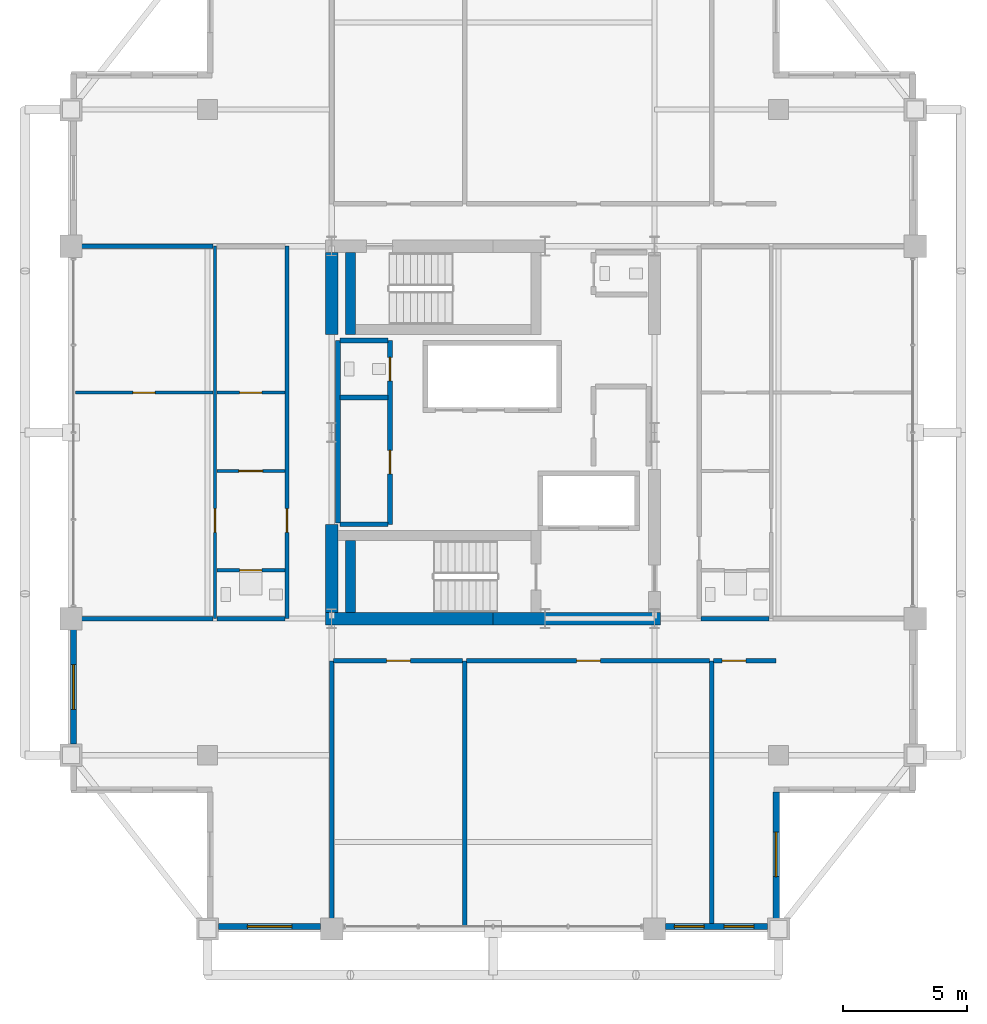
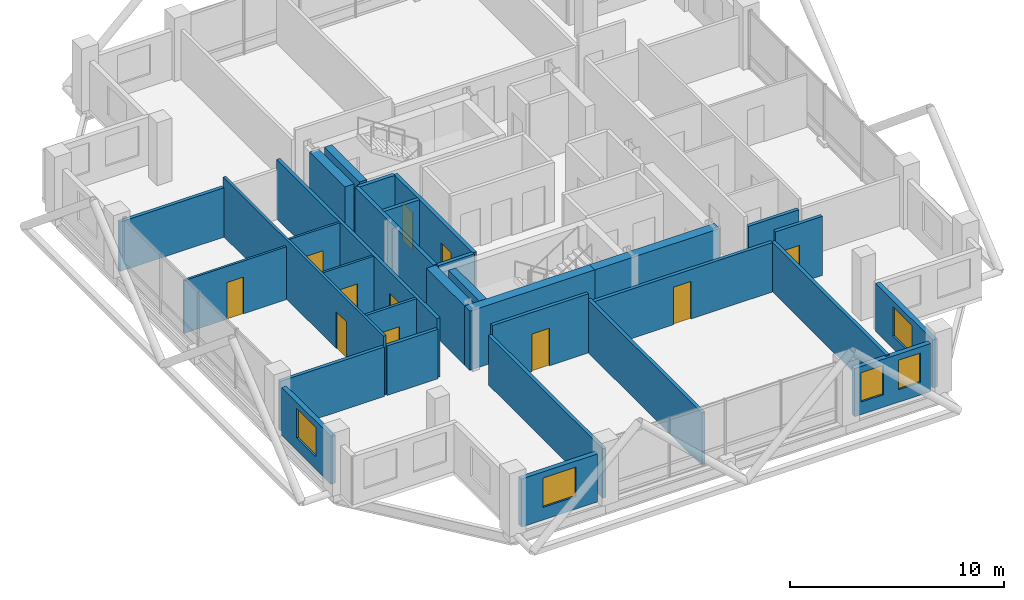
# One storey, part 19 of 24: 31 walls, 11 doors, 5 windows, 16 openings.
"""IFC4 building model written with IfcOpenShell, lengths in metres."""

from ifc_helpers import new_model, si_unit, direction, frame, frame_2d, origin, place, context, subcontext, project, spatial, rectangle, extrude, material, layer, layer_set, type_object, element, fill, save


model = new_model("IFC4")

# Units and contexts
model_context = context("Model", 3, precision=1e-05, world=origin(), true_north=direction((0.0, 1.0)))
body_context = subcontext(model_context, "Body", "Model", "MODEL_VIEW")
ifc_project = project(units=[si_unit("LENGTHUNIT", "METRE"), si_unit("AREAUNIT", "SQUARE_METRE"), si_unit("VOLUMEUNIT", "CUBIC_METRE"), si_unit("PLANEANGLEUNIT", "RADIAN"), si_unit("MASSUNIT", "GRAM", prefix="KILO")], contexts=[model_context])

# Site, building, storey
site_placement = place(None, origin())
site = spatial("IfcSite", under=ifc_project, at=site_placement, CompositionType="ELEMENT")
building_placement = place(site_placement, origin())
building = spatial("IfcBuilding", under=site, at=building_placement, Name="Barlavira Tower and Art Museum", CompositionType="ELEMENT")
storey_placement = place(building_placement, frame((0.0, 0.0, 294.300048828125)))
storey = spatial("IfcBuildingStorey", under=building, at=storey_placement, Name="L77", CompositionType="ELEMENT", Elevation=294.300048828125)

# Wall, opening, door
ifc_material_1 = material(Name="Gypsum acoustic stud partition", Category="gypsum")
ifc_layer_1 = layer(ifc_material_1, 0.1201171875, Name="Gypsum acoustic stud partition")
ifc_layer_set_1 = layer_set([ifc_layer_1], Name="Gypsum acoustic stud partition")
wall_type_1 = type_object("IfcWallType", Name="Apartment Internal Acoustic Partition 120", PredefinedType="PARTITIONING", material=ifc_layer_set_1)
wall_1_placement = place(storey_placement, frame((-11.1201171875, -1.550048828125, 0.0), z_axis=(0.0, 0.0, 1.0), x_axis=(1.0, 0.0, 0.0)))
wall_1 = element("IfcWall", 1, at=wall_1_placement, inside=storey, type_object=wall_type_1, Name="L77 Partition Wall 26", PredefinedType="PARTITIONING", context=body_context, shape_type="SweptSolid", body=[
    extrude(rectangle(XDim=2.740234375, YDim=0.1201171875, at=frame_2d((1.3701171875, 0.0))), origin(), (0.0, 0.0, 1.0), 3.3798828125),
])
opening_1_placement = place(wall_1_placement, frame((0.885009765625, 0.0, 0.0)))
opening_1 = element("IfcOpeningElement", 2, at=opening_1_placement, cuts=wall_1, Name="Opening D-02", PredefinedType="OPENING", context=body_context, shape_type="SweptSolid", body=[
    extrude(rectangle(XDim=0.949951171875, YDim=2.10009765625, at=frame_2d((0.47509765625, 1.050048828125))), frame((0.0, 0.070068359375, 0.0), z_axis=(0.0, -1.0, 0.0), x_axis=(1.0, 0.0, 0.0)), (0.0, 0.0, 1.0), 0.14013671875),
])
ifc_material_2 = material(Name="Engineered coastal hardwood", Category="wood")
door_type_1 = type_object("IfcDoorType", Name="Living and Salon Glazed-Leaf Door 950x2100", OperationType="NOTDEFINED", PredefinedType="DOOR", material=ifc_material_2)
door_1_placement = place(opening_1_placement, origin())
door_1 = element("IfcDoor", 3, at=door_1_placement, inside=storey, type_object=door_type_1, Name="Apartment W1 Kitchen Door", OperationType="SINGLE_SWING_RIGHT", OverallHeight=2.10009765625, OverallWidth=0.949951171875, PredefinedType="DOOR", context=body_context, shape_type="SweptSolid", body=[
    extrude(rectangle(XDim=0.949951171875, YDim=2.10009765625, at=frame_2d((0.47509765625, 1.050048828125))), frame((0.0, 0.02490234375, 0.0), z_axis=(0.0, -1.0, 0.0), x_axis=(1.0, 0.0, 0.0)), (0.0, 0.0, 1.0), 0.050048828125),
])
fill(opening_1, door_1)

wall_2_placement = place(storey_placement, frame((-16.820068359375, 1.60009765625, 0.0), z_axis=(0.0, 0.0, 1.0), x_axis=(1.0, 0.0, 0.0)))
wall_2 = element("IfcWall", 4, at=wall_2_placement, inside=storey, type_object=wall_type_1, Name="L77 Partition Wall 29", PredefinedType="PARTITIONING", context=body_context, shape_type="SweptSolid", body=[
    extrude(rectangle(XDim=5.5400390625, YDim=0.1201171875, at=frame_2d((2.77001953125, 0.0))), origin(), (0.0, 0.0, 1.0), 3.01806640625),
])
opening_2_placement = place(wall_2_placement, frame((2.31005859375, 0.0, 0.0)))
opening_2 = element("IfcOpeningElement", 5, at=opening_2_placement, cuts=wall_2, Name="Opening D-01", PredefinedType="OPENING", context=body_context, shape_type="SweptSolid", body=[
    extrude(rectangle(XDim=0.89990234375, YDim=2.10009765625, at=frame_2d((0.449951171875, 1.050048828125))), frame((0.0, 0.070068359375, 0.0), z_axis=(0.0, -1.0, 0.0), x_axis=(1.0, 0.0, 0.0)), (0.0, 0.0, 1.0), 0.14013671875),
])
door_type_2 = type_object("IfcDoorType", Name="Internal Bedroom Timber Flush Door 900x2100", OperationType="NOTDEFINED", PredefinedType="DOOR", material=ifc_material_2)
door_2_placement = place(opening_2_placement, origin())
door_2 = element("IfcDoor", 6, at=door_2_placement, inside=storey, type_object=door_type_2, Name="Apartment W1 Bedroom 1 Door", OperationType="SINGLE_SWING_LEFT", OverallHeight=2.10009765625, OverallWidth=0.89990234375, PredefinedType="DOOR", context=body_context, shape_type="SweptSolid", body=[
    extrude(rectangle(XDim=0.89990234375, YDim=2.10009765625, at=frame_2d((0.449951171875, 1.050048828125))), frame((0.0, 0.02490234375, 0.0), z_axis=(0.0, -1.0, 0.0), x_axis=(1.0, 0.0, 0.0)), (0.0, 0.0, 1.0), 0.050048828125),
])
fill(opening_2, door_2)

wall_3_placement = place(storey_placement, frame((-11.1201171875, 1.60009765625, 0.0), z_axis=(0.0, 0.0, 1.0), x_axis=(1.0, 0.0, 0.0)))
wall_3 = element("IfcWall", 7, at=wall_3_placement, inside=storey, type_object=wall_type_1, Name="L77 Partition Wall 30", PredefinedType="PARTITIONING", context=body_context, shape_type="SweptSolid", body=[
    extrude(rectangle(XDim=2.740234375, YDim=0.1201171875, at=frame_2d((1.3701171875, 0.0))), origin(), (0.0, 0.0, 1.0), 3.3798828125),
])
opening_3_placement = place(wall_3_placement, frame((0.909912109375, 0.0, 0.0)))
opening_3 = element("IfcOpeningElement", 8, at=opening_3_placement, cuts=wall_3, Name="Opening D-01", PredefinedType="OPENING", context=body_context, shape_type="SweptSolid", body=[
    extrude(rectangle(XDim=0.89990234375, YDim=2.10009765625, at=frame_2d((0.449951171875, 1.050048828125))), frame((0.0, 0.070068359375, 0.0), z_axis=(0.0, -1.0, 0.0), x_axis=(1.0, 0.0, 0.0)), (0.0, 0.0, 1.0), 0.14013671875),
])
door_3_placement = place(opening_3_placement, origin())
door_3 = element("IfcDoor", 9, at=door_3_placement, inside=storey, type_object=door_type_2, Name="Apartment W1 Walk-In Dressing Room Door", OperationType="SINGLE_SWING_LEFT", OverallHeight=2.10009765625, OverallWidth=0.89990234375, PredefinedType="DOOR", context=body_context, shape_type="SweptSolid", body=[
    extrude(rectangle(XDim=0.89990234375, YDim=2.10009765625, at=frame_2d((0.449951171875, 1.050048828125))), frame((0.0, 0.02490234375, 0.0), z_axis=(0.0, -1.0, 0.0), x_axis=(1.0, 0.0, 0.0)), (0.0, 0.0, 1.0), 0.050048828125),
])
fill(opening_3, door_3)

# Walls
ifc_material_3 = material(Name="Concrete C60", Category="concrete")
ifc_layer_2 = layer(ifc_material_3, 0.5, Name="Concrete C60")
ifc_layer_set_2 = layer_set([ifc_layer_2], Name="Concrete C60")
wall_type_2 = type_object("IfcWallType", Name="Core Structural Shear Wall 500 Concrete C60", PredefinedType="SHEAR", material=ifc_layer_set_2)
for number, where, z_axis, x_axis, name in (
    (10, (-6.75, -7.5, 0.0), (0.0, 0.0, 1.0), (1.0, 0.0, 0.0), "L77 Core Shear Wall CS-SW"),
    (11, (0.0, -7.5, 0.0), (0.0, 0.0, 1.0), (1.0, 0.0, 0.0), "L77 Core Shear Wall CS-SE"),
):
    element("IfcWall", number, at=place(storey_placement, frame(where, z_axis=z_axis, x_axis=x_axis)), inside=storey, type_object=wall_type_2, Name=name, PredefinedType="SHEAR", context=body_context, shape_type="SweptSolid", body=[
        extrude(rectangle(XDim=6.75, YDim=0.5, at=frame_2d((3.375, 0.0))), origin(), (0.0, 0.0, 1.0), 3.3798828125),
    ])
wall_4_placement = place(storey_placement, frame((-6.5, -7.25, 0.0), z_axis=(0.0, 0.0, 1.0), x_axis=(0.0, 1.0, 0.0)))
element("IfcWall", 12, at=wall_4_placement, inside=storey, type_object=wall_type_2, Name="L77 Core Shear Wall CS-W1", PredefinedType="SHEAR", context=body_context, shape_type="SweptSolid", body=[
    extrude(rectangle(XDim=3.550048828125, YDim=0.5, at=frame_2d((1.77490234375, 0.0))), origin(), (0.0, 0.0, 1.0), 3.3798828125),
])
wall_5_placement = place(storey_placement, frame((-6.5, 3.949951171875, 0.0), z_axis=(0.0, 0.0, 1.0), x_axis=(0.0, 1.0, 0.0)))
element("IfcWall", 13, at=wall_5_placement, inside=storey, type_object=wall_type_2, Name="L77 Core Shear Wall CS-W2", PredefinedType="SHEAR", context=body_context, shape_type="SweptSolid", body=[
    extrude(rectangle(XDim=3.300048828125, YDim=0.5, at=frame_2d((1.64990234375, 0.0))), origin(), (0.0, 0.0, 1.0), 3.3798828125),
])
ifc_material_4 = material(Name="Autoclaved aerated concrete masonry", Category="masonry")
ifc_layer_3 = layer(ifc_material_4, 0.199951171875, Name="Autoclaved aerated concrete masonry")
ifc_layer_set_3 = layer_set([ifc_layer_3], Name="Autoclaved aerated concrete masonry")
wall_type_3 = type_object("IfcWallType", Name="Fire Compartment and Shaft Wall 200", PredefinedType="SOLIDWALL", material=ifc_layer_set_3)
wall_6_placement = place(storey_placement, frame((-6.25, -3.639892578125, 0.0), z_axis=(0.0, 0.0, 1.0), x_axis=(0.0, 1.0, 0.0)))
element("IfcWall", 14, at=wall_6_placement, inside=storey, type_object=wall_type_3, Name="L77 Partition Wall 5", PredefinedType="SOLIDWALL", context=body_context, shape_type="SweptSolid", body=[
    extrude(rectangle(XDim=7.33984375, YDim=0.199951171875, at=frame_2d((3.669921875, 0.0))), origin(), (0.0, 0.0, 1.0), 3.3798828125),
])

# Wall, openings, doors
wall_7_placement = place(storey_placement, frame((-4.14990234375, -3.699951171875, 0.0), z_axis=(0.0, 0.0, 1.0), x_axis=(0.0, 1.0, 0.0)))
wall_7 = element("IfcWall", 15, at=wall_7_placement, inside=storey, type_object=wall_type_3, Name="L77 Partition Wall 6", PredefinedType="SOLIDWALL", context=body_context, shape_type="SweptSolid", body=[
    extrude(rectangle(XDim=7.39990234375, YDim=0.199951171875, at=frame_2d((3.699951171875, 0.0))), origin(), (0.0, 0.0, 1.0), 3.3798828125),
])
opening_4_placement = place(wall_7_placement, frame((2.02490234375, 0.0, 0.0)))
opening_4 = element("IfcOpeningElement", 16, at=opening_4_placement, cuts=wall_7, Name="Opening FD-60", PredefinedType="OPENING", context=body_context, shape_type="SweptSolid", body=[
    extrude(rectangle(XDim=0.949951171875, YDim=2.14990234375, at=frame_2d((0.47509765625, 1.074951171875))), frame((0.0, 0.10986328125, 0.0), z_axis=(0.0, -1.0, 0.0), x_axis=(1.0, 0.0, 0.0)), (0.0, 0.0, 1.0), 0.219970703125),
])
opening_5_placement = place(wall_7_placement, frame((5.77490234375, 0.0, 0.0)))
opening_5 = element("IfcOpeningElement", 17, at=opening_5_placement, cuts=wall_7, Name="Opening FD-60", PredefinedType="OPENING", context=body_context, shape_type="SweptSolid", body=[
    extrude(rectangle(XDim=0.949951171875, YDim=2.14990234375, at=frame_2d((0.47509765625, 1.074951171875))), frame((0.0, 0.10986328125, 0.0), z_axis=(0.0, -1.0, 0.0), x_axis=(1.0, 0.0, 0.0)), (0.0, 0.0, 1.0), 0.219970703125),
])
ifc_material_5 = material(Name="Brushed stainless steel", Category="steel")
door_type_3 = type_object("IfcDoorType", Name="Apartment Entrance and Riser Fire Door 950x2150 FD60S", OperationType="NOTDEFINED", PredefinedType="DOOR", material=ifc_material_5)
door_4_placement = place(opening_4_placement, origin())
door_4 = element("IfcDoor", 18, at=door_4_placement, inside=storey, type_object=door_type_3, Name="Reclaimed Core Resident Parcel Room Door", OperationType="SINGLE_SWING_RIGHT", OverallHeight=2.14990234375, OverallWidth=0.949951171875, PredefinedType="DOOR", context=body_context, shape_type="SweptSolid", body=[
    extrude(rectangle(XDim=0.949951171875, YDim=2.14990234375, at=frame_2d((0.47509765625, 1.074951171875))), frame((0.0, 0.02490234375, 0.0), z_axis=(0.0, -1.0, 0.0), x_axis=(1.0, 0.0, 0.0)), (0.0, 0.0, 1.0), 0.050048828125),
])
fill(opening_4, door_4)
door_5_placement = place(opening_5_placement, origin())
door_5 = element("IfcDoor", 19, at=door_5_placement, inside=storey, type_object=door_type_3, Name="Reclaimed Core Accessible WC Door", OperationType="SINGLE_SWING_LEFT", OverallHeight=2.14990234375, OverallWidth=0.949951171875, PredefinedType="DOOR", context=body_context, shape_type="SweptSolid", body=[
    extrude(rectangle(XDim=0.949951171875, YDim=2.14990234375, at=frame_2d((0.47509765625, 1.074951171875))), frame((0.0, 0.02490234375, 0.0), z_axis=(0.0, -1.0, 0.0), x_axis=(1.0, 0.0, 0.0)), (0.0, 0.0, 1.0), 0.050048828125),
])
fill(opening_5, door_5)

# Walls
for number, where, z_axis, x_axis, name in (
    (20, (-6.169921875, -3.699951171875, 0.0), (0.0, 0.0, 1.0), (1.0, 0.0, 0.0), "L77 Partition Wall 25"),
    (21, (-6.169921875, 1.39990234375, 0.0), (0.0, 0.0, 1.0), (1.0, 0.0, 0.0), "L77 Partition Wall 28"),
    (22, (-6.169921875, 3.699951171875, 0.0), (0.0, 0.0, 1.0), (1.0, 0.0, 0.0), "L77 Partition Wall 34"),
):
    element("IfcWall", number, at=place(storey_placement, frame(where, z_axis=z_axis, x_axis=x_axis)), inside=storey, type_object=wall_type_3, Name=name, PredefinedType="SOLIDWALL", context=body_context, shape_type="SweptSolid", body=[
        extrude(rectangle(XDim=1.93994140625, YDim=0.199951171875, at=frame_2d((0.969970703125, 0.0))), origin(), (0.0, 0.0, 1.0), 3.3798828125),
    ])

# Wall, opening, door
ifc_layer_4 = layer(ifc_material_1, 0.179931640625, Name="Gypsum acoustic stud partition")
ifc_layer_set_4 = layer_set([ifc_layer_4], Name="Gypsum acoustic stud partition")
wall_type_4 = type_object("IfcWallType", Name="Inter-Tenancy Party Partition Wall 180", PredefinedType="PARTITIONING", material=ifc_layer_set_4)
wall_8_placement = place(storey_placement, frame((-8.300048828125, -7.5, 0.0), z_axis=(0.0, 0.0, 1.0), x_axis=(0.0, 1.0, 0.0)))
wall_8 = element("IfcWall", 23, at=wall_8_placement, inside=storey, type_object=wall_type_4, Name="L77 Partition Wall 2", PredefinedType="PARTITIONING", context=body_context, shape_type="SweptSolid", body=[
    extrude(rectangle(XDim=15.0, YDim=0.179931640625, at=frame_2d((7.5, 0.0))), origin(), (0.0, 0.0, 1.0), 3.3798828125),
])
opening_6_placement = place(wall_8_placement, frame((3.47509765625, 0.0, 0.0)))
opening_6 = element("IfcOpeningElement", 24, at=opening_6_placement, cuts=wall_8, Name="Opening FD-60", PredefinedType="OPENING", context=body_context, shape_type="SweptSolid", body=[
    extrude(rectangle(XDim=0.949951171875, YDim=2.14990234375, at=frame_2d((0.47509765625, 1.074951171875))), frame((0.0, 0.10009765625, 0.0), z_axis=(0.0, -1.0, 0.0), x_axis=(1.0, 0.0, 0.0)), (0.0, 0.0, 1.0), 0.199951171875),
])
door_6_placement = place(opening_6_placement, origin())
door_6 = element("IfcDoor", 25, at=door_6_placement, inside=storey, type_object=door_type_3, Name="Apartment Entrance Hall W1 Door", OperationType="SINGLE_SWING_LEFT", OverallHeight=2.14990234375, OverallWidth=0.949951171875, PredefinedType="DOOR", context=body_context, shape_type="SweptSolid", body=[
    extrude(rectangle(XDim=0.949951171875, YDim=2.14990234375, at=frame_2d((0.47509765625, 1.074951171875))), frame((0.0, 0.02490234375, 0.0), z_axis=(0.0, -1.0, 0.0), x_axis=(1.0, 0.0, 0.0)), (0.0, 0.0, 1.0), 0.050048828125),
])
fill(opening_6, door_6)

# Walls
wall_9_placement = place(storey_placement, frame((-6.5, -19.89990234375, 0.0), z_axis=(0.0, 0.0, 1.0), x_axis=(0.0, 1.0, 0.0)))
element("IfcWall", 26, at=wall_9_placement, inside=storey, type_object=wall_type_4, Name="L77 Partition Wall 3", PredefinedType="PARTITIONING", context=body_context, shape_type="SweptSolid", body=[
    extrude(rectangle(XDim=10.699951171875, YDim=0.179931640625, at=frame_2d((5.35009765625, 0.0))), origin(), (0.0, 0.0, 1.0), 2.825927734375),
])
wall_10_placement = place(storey_placement, frame((-1.14990234375, -19.89990234375, 0.0), z_axis=(0.0, 0.0, 1.0), x_axis=(0.0, 1.0, 0.0)))
element("IfcWall", 27, at=wall_10_placement, inside=storey, type_object=wall_type_4, Name="L77 Partition Wall 7", PredefinedType="PARTITIONING", context=body_context, shape_type="SweptSolid", body=[
    extrude(rectangle(XDim=10.699951171875, YDim=0.179931640625, at=frame_2d((5.35009765625, 0.0))), origin(), (0.0, 0.0, 1.0), 3.01806640625),
])
wall_11_placement = place(storey_placement, frame((8.800048828125, -19.89990234375, 0.0), z_axis=(0.0, 0.0, 1.0), x_axis=(0.0, 1.0, 0.0)))
element("IfcWall", 28, at=wall_11_placement, inside=storey, type_object=wall_type_4, Name="L77 Partition Wall 13", PredefinedType="PARTITIONING", context=body_context, shape_type="SweptSolid", body=[
    extrude(rectangle(XDim=10.699951171875, YDim=0.179931640625, at=frame_2d((5.35009765625, 0.0))), origin(), (0.0, 0.0, 1.0), 2.825927734375),
])

# Wall, opening, door
wall_12_placement = place(storey_placement, frame((-6.419921875, -9.199951171875, 0.0), z_axis=(0.0, 0.0, 1.0), x_axis=(1.0, 0.0, 0.0)))
wall_12 = element("IfcWall", 29, at=wall_12_placement, inside=storey, type_object=wall_type_4, Name="L77 Partition Wall 16", PredefinedType="PARTITIONING", context=body_context, shape_type="SweptSolid", body=[
    extrude(rectangle(XDim=5.18994140625, YDim=0.179931640625, at=frame_2d((2.594970703125, 0.0))), origin(), (0.0, 0.0, 1.0), 3.3798828125),
])
opening_7_placement = place(wall_12_placement, frame((2.135009765625, 0.0, 0.0)))
opening_7 = element("IfcOpeningElement", 30, at=opening_7_placement, cuts=wall_12, Name="Opening FD-60", PredefinedType="OPENING", context=body_context, shape_type="SweptSolid", body=[
    extrude(rectangle(XDim=0.949951171875, YDim=2.14990234375, at=frame_2d((0.47509765625, 1.074951171875))), frame((0.0, 0.10009765625, 0.0), z_axis=(0.0, -1.0, 0.0), x_axis=(1.0, 0.0, 0.0)), (0.0, 0.0, 1.0), 0.199951171875),
])
door_7_placement = place(opening_7_placement, origin())
door_7 = element("IfcDoor", 31, at=door_7_placement, inside=storey, type_object=door_type_3, Name="Resident Art Collectors Salon Door", OperationType="SINGLE_SWING_RIGHT", OverallHeight=2.14990234375, OverallWidth=0.949951171875, PredefinedType="DOOR", context=body_context, shape_type="SweptSolid", body=[
    extrude(rectangle(XDim=0.949951171875, YDim=2.14990234375, at=frame_2d((0.47509765625, 1.074951171875))), frame((0.0, 0.02490234375, 0.0), z_axis=(0.0, -1.0, 0.0), x_axis=(1.0, 0.0, 0.0)), (0.0, 0.0, 1.0), 0.050048828125),
])
fill(opening_7, door_7)

wall_13_placement = place(storey_placement, frame((-1.070068359375, -9.199951171875, 0.0), z_axis=(0.0, 0.0, 1.0), x_axis=(1.0, 0.0, 0.0)))
wall_13 = element("IfcWall", 32, at=wall_13_placement, inside=storey, type_object=wall_type_4, Name="L77 Partition Wall 17", PredefinedType="PARTITIONING", context=body_context, shape_type="SweptSolid", body=[
    extrude(rectangle(XDim=9.7900390625, YDim=0.179931640625, at=frame_2d((4.89501953125, 0.0))), origin(), (0.0, 0.0, 1.0), 2.825927734375),
])
opening_8_placement = place(wall_13_placement, frame((4.43505859375, 0.0, 0.0)))
opening_8 = element("IfcOpeningElement", 33, at=opening_8_placement, cuts=wall_13, Name="Opening FD-60", PredefinedType="OPENING", context=body_context, shape_type="SweptSolid", body=[
    extrude(rectangle(XDim=0.949951171875, YDim=2.14990234375, at=frame_2d((0.47509765625, 1.074951171875))), frame((0.0, 0.10009765625, 0.0), z_axis=(0.0, -1.0, 0.0), x_axis=(1.0, 0.0, 0.0)), (0.0, 0.0, 1.0), 0.199951171875),
])
door_8_placement = place(opening_8_placement, origin())
door_8 = element("IfcDoor", 34, at=door_8_placement, inside=storey, type_object=door_type_3, Name="Sculpture and Painting Workshop Door", OperationType="SINGLE_SWING_LEFT", OverallHeight=2.14990234375, OverallWidth=0.949951171875, PredefinedType="DOOR", context=body_context, shape_type="SweptSolid", body=[
    extrude(rectangle(XDim=0.949951171875, YDim=2.14990234375, at=frame_2d((0.47509765625, 1.074951171875))), frame((0.0, 0.02490234375, 0.0), z_axis=(0.0, -1.0, 0.0), x_axis=(1.0, 0.0, 0.0)), (0.0, 0.0, 1.0), 0.050048828125),
])
fill(opening_8, door_8)

wall_14_placement = place(storey_placement, frame((8.8798828125, -9.199951171875, 0.0), z_axis=(0.0, 0.0, 1.0), x_axis=(1.0, 0.0, 0.0)))
wall_14 = element("IfcWall", 35, at=wall_14_placement, inside=storey, type_object=wall_type_4, Name="L77 Partition Wall 18", PredefinedType="PARTITIONING", context=body_context, shape_type="SweptSolid", body=[
    extrude(rectangle(XDim=2.52001953125, YDim=0.179931640625, at=frame_2d((1.260009765625, 0.0))), origin(), (0.0, 0.0, 1.0), 3.3798828125),
])
opening_9_placement = place(wall_14_placement, frame((0.344970703125, 0.0, 0.0)))
opening_9 = element("IfcOpeningElement", 36, at=opening_9_placement, cuts=wall_14, Name="Opening FD-60", PredefinedType="OPENING", context=body_context, shape_type="SweptSolid", body=[
    extrude(rectangle(XDim=0.949951171875, YDim=2.14990234375, at=frame_2d((0.47509765625, 1.074951171875))), frame((0.0, 0.10009765625, 0.0), z_axis=(0.0, -1.0, 0.0), x_axis=(1.0, 0.0, 0.0)), (0.0, 0.0, 1.0), 0.199951171875),
])
door_9_placement = place(opening_9_placement, origin())
door_9 = element("IfcDoor", 37, at=door_9_placement, inside=storey, type_object=door_type_3, Name="Climate-Controlled Wine Tasting Room Door", OperationType="SINGLE_SWING_RIGHT", OverallHeight=2.14990234375, OverallWidth=0.949951171875, PredefinedType="DOOR", context=body_context, shape_type="SweptSolid", body=[
    extrude(rectangle(XDim=0.949951171875, YDim=2.14990234375, at=frame_2d((0.47509765625, 1.074951171875))), frame((0.0, 0.02490234375, 0.0), z_axis=(0.0, -1.0, 0.0), x_axis=(1.0, 0.0, 0.0)), (0.0, 0.0, 1.0), 0.050048828125),
])
fill(opening_9, door_9)

# Walls
wall_15_placement = place(storey_placement, frame((-16.89990234375, -7.5, 0.0), z_axis=(0.0, 0.0, 1.0), x_axis=(1.0, 0.0, 0.0)))
element("IfcWall", 38, at=wall_15_placement, inside=storey, type_object=wall_type_4, Name="L77 Partition Wall 19", PredefinedType="PARTITIONING", context=body_context, shape_type="SweptSolid", body=[
    extrude(rectangle(XDim=5.619873046875, YDim=0.179931640625, at=frame_2d((2.81005859375, 0.0))), origin(), (0.0, 0.0, 1.0), 2.825927734375),
])
for number, where, z_axis, x_axis, name in (
    (39, (-11.1201171875, -7.5, 0.0), (0.0, 0.0, 1.0), (1.0, 0.0, 0.0), "L77 Partition Wall 20"),
    (40, (8.3798828125, -7.5, 0.0), (0.0, 0.0, 1.0), (1.0, 0.0, 0.0), "L77 Partition Wall 21"),
):
    element("IfcWall", number, at=place(storey_placement, frame(where, z_axis=z_axis, x_axis=x_axis)), inside=storey, type_object=wall_type_4, Name=name, PredefinedType="PARTITIONING", context=body_context, shape_type="SweptSolid", body=[
        extrude(rectangle(XDim=2.740234375, YDim=0.179931640625, at=frame_2d((1.3701171875, 0.0))), origin(), (0.0, 0.0, 1.0), 2.825927734375),
    ])
wall_16_placement = place(storey_placement, frame((-16.89990234375, 7.5, 0.0), z_axis=(0.0, 0.0, 1.0), x_axis=(1.0, 0.0, 0.0)))
element("IfcWall", 41, at=wall_16_placement, inside=storey, type_object=wall_type_4, Name="L77 Partition Wall 37", PredefinedType="PARTITIONING", context=body_context, shape_type="SweptSolid", body=[
    extrude(rectangle(XDim=5.619873046875, YDim=0.179931640625, at=frame_2d((2.81005859375, 0.0))), origin(), (0.0, 0.0, 1.0), 2.825927734375),
])

# Wall, opening, door
ifc_layer_5 = layer(ifc_material_1, 0.139892578125, Name="Gypsum acoustic stud partition")
ifc_layer_set_5 = layer_set([ifc_layer_5], Name="Gypsum acoustic stud partition")
wall_type_5 = type_object("IfcWallType", Name="Moisture-Resistant Bathroom Partition 140", PredefinedType="PARTITIONING", material=ifc_layer_set_5)
wall_17_placement = place(storey_placement, frame((-11.199951171875, -7.5, 0.0), z_axis=(0.0, 0.0, 1.0), x_axis=(0.0, 1.0, 0.0)))
wall_17 = element("IfcWall", 42, at=wall_17_placement, inside=storey, type_object=wall_type_5, Name="L77 Partition Wall 1", PredefinedType="PARTITIONING", context=body_context, shape_type="SweptSolid", body=[
    extrude(rectangle(XDim=15.0, YDim=0.139892578125, at=frame_2d((7.5, 0.0))), origin(), (0.0, 0.0, 1.0), 3.3798828125),
])
opening_10_placement = place(wall_17_placement, frame((3.47509765625, 0.0, 0.0)))
opening_10 = element("IfcOpeningElement", 43, at=opening_10_placement, cuts=wall_17, Name="Opening D-02", PredefinedType="OPENING", context=body_context, shape_type="SweptSolid", body=[
    extrude(rectangle(XDim=0.949951171875, YDim=2.10009765625, at=frame_2d((0.47509765625, 1.050048828125))), frame((0.0, 0.080078125, 0.0), z_axis=(0.0, -1.0, 0.0), x_axis=(1.0, 0.0, 0.0)), (0.0, 0.0, 1.0), 0.159912109375),
])
door_10_placement = place(opening_10_placement, origin())
door_10 = element("IfcDoor", 44, at=door_10_placement, inside=storey, type_object=door_type_1, Name="Apartment W1 Living Lounge Door", OperationType="SINGLE_SWING_RIGHT", OverallHeight=2.10009765625, OverallWidth=0.949951171875, PredefinedType="DOOR", context=body_context, shape_type="SweptSolid", body=[
    extrude(rectangle(XDim=0.949951171875, YDim=2.10009765625, at=frame_2d((0.47509765625, 1.050048828125))), frame((0.0, 0.02490234375, 0.0), z_axis=(0.0, -1.0, 0.0), x_axis=(1.0, 0.0, 0.0)), (0.0, 0.0, 1.0), 0.050048828125),
])
fill(opening_10, door_10)

wall_18_placement = place(storey_placement, frame((-11.1201171875, -5.550048828125, 0.0), z_axis=(0.0, 0.0, 1.0), x_axis=(1.0, 0.0, 0.0)))
wall_18 = element("IfcWall", 45, at=wall_18_placement, inside=storey, type_object=wall_type_5, Name="L77 Partition Wall 23", PredefinedType="PARTITIONING", context=body_context, shape_type="SweptSolid", body=[
    extrude(rectangle(XDim=2.740234375, YDim=0.139892578125, at=frame_2d((1.3701171875, 0.0))), origin(), (0.0, 0.0, 1.0), 3.3798828125),
])
opening_11_placement = place(wall_18_placement, frame((0.909912109375, 0.0, 0.0)))
opening_11 = element("IfcOpeningElement", 46, at=opening_11_placement, cuts=wall_18, Name="Opening D-WC", PredefinedType="OPENING", context=body_context, shape_type="SweptSolid", body=[
    extrude(rectangle(XDim=0.89990234375, YDim=2.10009765625, at=frame_2d((0.449951171875, 1.050048828125))), frame((0.0, 0.080078125, 0.0), z_axis=(0.0, -1.0, 0.0), x_axis=(1.0, 0.0, 0.0)), (0.0, 0.0, 1.0), 0.159912109375),
])
door_type_4 = type_object("IfcDoorType", Name="Accessible Bathroom Flush Door 900x2100", OperationType="NOTDEFINED", PredefinedType="DOOR", material=ifc_material_2)
door_11_placement = place(opening_11_placement, origin())
door_11 = element("IfcDoor", 47, at=door_11_placement, inside=storey, type_object=door_type_4, Name="Apartment W1 Hall Bathroom Door", OperationType="SINGLE_SWING_RIGHT", OverallHeight=2.10009765625, OverallWidth=0.89990234375, PredefinedType="DOOR", context=body_context, shape_type="SweptSolid", body=[
    extrude(rectangle(XDim=0.89990234375, YDim=2.10009765625, at=frame_2d((0.449951171875, 1.050048828125))), frame((0.0, 0.02490234375, 0.0), z_axis=(0.0, -1.0, 0.0), x_axis=(1.0, 0.0, 0.0)), (0.0, 0.0, 1.0), 0.050048828125),
])
fill(opening_11, door_11)

# Wall, opening, window
ifc_material_6 = material(Name="Precast concrete C40", Category="concrete")
ifc_layer_6 = layer(ifc_material_6, 0.25, Name="Precast concrete C40")
ifc_layer_set_6 = layer_set([ifc_layer_6], Name="Precast concrete C40")
wall_type_6 = type_object("IfcWallType", Name="Notched Corner Spandrel Wall 250 Precast Concrete C40", PredefinedType="SOLIDWALL", material=ifc_layer_set_6)
wall_19_placement = place(storey_placement, frame((-11.054931640625, -19.89990234375, 0.0), z_axis=(0.0, 0.0, 1.0), x_axis=(1.0, 0.0, 0.0)))
wall_19 = element("IfcWall", 48, at=wall_19_placement, inside=storey, type_object=wall_type_6, Name="L77 Coastal Facade Pier Wall CW4-L77-S-1", PredefinedType="SOLIDWALL", context=body_context, shape_type="SweptSolid", body=[
    extrude(rectangle(XDim=4.10986328125, YDim=0.25, at=frame_2d((2.054931640625, 0.0))), origin(), (0.0, 0.0, 1.0), 2.748046875),
])
opening_12_placement = place(wall_19_placement, frame((1.155029296875, 0.0, 0.719970703125)))
opening_12 = element("IfcOpeningElement", 49, at=opening_12_placement, cuts=wall_19, Name="Opening WN-01", PredefinedType="OPENING", context=body_context, shape_type="SweptSolid", body=[
    extrude(rectangle(XDim=1.800048828125, YDim=1.679931640625, at=frame_2d((0.89990234375, 0.83984375))), frame((0.0, 0.135009765625, 0.0), z_axis=(0.0, -1.0, 0.0), x_axis=(1.0, 0.0, 0.0)), (0.0, 0.0, 1.0), 0.27001953125),
])
ifc_material_7 = material(Name="Low-iron coastal laminated glass", Category="glass")
window_type_1 = type_object("IfcWindowType", Name="Recessed Notch Corner Punch Window 1800x1680", PartitioningType="SINGLE_PANEL", PredefinedType="WINDOW", material=ifc_material_7)
window_1_placement = place(opening_12_placement, origin())
window_1 = element("IfcWindow", 50, at=window_1_placement, inside=storey, type_object=window_type_1, Name="L77 Punched Facade Window EWP-CW4-L77-S-1-1", OverallHeight=1.679931640625, OverallWidth=1.800048828125, PartitioningType="SINGLE_PANEL", PredefinedType="WINDOW", context=body_context, shape_type="SweptSolid", body=[
    extrude(rectangle(XDim=1.800048828125, YDim=1.679931640625, at=frame_2d((0.89990234375, 0.83984375))), frame((0.0, 0.030029296875, 0.0), z_axis=(0.0, -1.0, 0.0), x_axis=(1.0, 0.0, 0.0)), (0.0, 0.0, 1.0), 0.06005859375),
])
fill(opening_12, window_1)

# Wall, openings, windows
wall_20_placement = place(storey_placement, frame((6.945068359375, -19.89990234375, 0.0), z_axis=(0.0, 0.0, 1.0), x_axis=(1.0, 0.0, 0.0)))
wall_20 = element("IfcWall", 51, at=wall_20_placement, inside=storey, type_object=wall_type_6, Name="L77 Coastal Facade Pier Wall CW4-L77-S-3", PredefinedType="SOLIDWALL", context=body_context, shape_type="SweptSolid", body=[
    extrude(rectangle(XDim=4.10986328125, YDim=0.25, at=frame_2d((2.054931640625, 0.0))), origin(), (0.0, 0.0, 1.0), 2.748046875),
])
opening_13_placement = place(wall_20_placement, frame((0.35009765625, 0.0, 0.719970703125)))
opening_13 = element("IfcOpeningElement", 52, at=opening_13_placement, cuts=wall_20, Name="Opening WN-05", PredefinedType="OPENING", context=body_context, shape_type="SweptSolid", body=[
    extrude(rectangle(XDim=1.199951171875, YDim=1.679931640625, at=frame_2d((0.60009765625, 0.83984375))), frame((0.0, 0.135009765625, 0.0), z_axis=(0.0, -1.0, 0.0), x_axis=(1.0, 0.0, 0.0)), (0.0, 0.0, 1.0), 0.27001953125),
])
opening_14_placement = place(wall_20_placement, frame((2.360107421875, 0.0, 0.719970703125)))
opening_14 = element("IfcOpeningElement", 53, at=opening_14_placement, cuts=wall_20, Name="Opening WN-05", PredefinedType="OPENING", context=body_context, shape_type="SweptSolid", body=[
    extrude(rectangle(XDim=1.199951171875, YDim=1.679931640625, at=frame_2d((0.60009765625, 0.83984375))), frame((0.0, 0.135009765625, 0.0), z_axis=(0.0, -1.0, 0.0), x_axis=(1.0, 0.0, 0.0)), (0.0, 0.0, 1.0), 0.27001953125),
])
window_type_2 = type_object("IfcWindowType", Name="Recessed Flank Pier Punch Window 1200x1680", PartitioningType="SINGLE_PANEL", PredefinedType="WINDOW", material=ifc_material_7)
window_2_placement = place(opening_13_placement, origin())
window_2 = element("IfcWindow", 54, at=window_2_placement, inside=storey, type_object=window_type_2, Name="L77 Punched Facade Window EWP-CW4-L77-S-3-1", OverallHeight=1.679931640625, OverallWidth=1.199951171875, PartitioningType="SINGLE_PANEL", PredefinedType="WINDOW", context=body_context, shape_type="SweptSolid", body=[
    extrude(rectangle(XDim=1.199951171875, YDim=1.679931640625, at=frame_2d((0.60009765625, 0.83984375))), frame((0.0, 0.030029296875, 0.0), z_axis=(0.0, -1.0, 0.0), x_axis=(1.0, 0.0, 0.0)), (0.0, 0.0, 1.0), 0.06005859375),
])
fill(opening_13, window_2)
window_3_placement = place(opening_14_placement, origin())
window_3 = element("IfcWindow", 55, at=window_3_placement, inside=storey, type_object=window_type_2, Name="L77 Punched Facade Window EWP-CW4-L77-S-3-2", OverallHeight=1.679931640625, OverallWidth=1.199951171875, PartitioningType="SINGLE_PANEL", PredefinedType="WINDOW", context=body_context, shape_type="SweptSolid", body=[
    extrude(rectangle(XDim=1.199951171875, YDim=1.679931640625, at=frame_2d((0.60009765625, 0.83984375))), frame((0.0, 0.030029296875, 0.0), z_axis=(0.0, -1.0, 0.0), x_axis=(1.0, 0.0, 0.0)), (0.0, 0.0, 1.0), 0.06005859375),
])
fill(opening_14, window_3)

# Wall, opening, window
wall_21_placement = place(storey_placement, frame((-16.89990234375, -7.945068359375, 0.0), z_axis=(0.0, 0.0, 1.0), x_axis=(0.0, -1.0, 0.0)))
wall_21 = element("IfcWall", 56, at=wall_21_placement, inside=storey, type_object=wall_type_6, Name="L77 Coastal Facade Pier Wall CW4-L77-W-4", PredefinedType="SOLIDWALL", context=body_context, shape_type="SweptSolid", body=[
    extrude(rectangle(XDim=4.60986328125, YDim=0.25, at=frame_2d((2.304931640625, 0.0))), origin(), (0.0, 0.0, 1.0), 2.748046875),
])
opening_15_placement = place(wall_21_placement, frame((1.405029296875, 0.0, 0.719970703125)))
opening_15 = element("IfcOpeningElement", 57, at=opening_15_placement, cuts=wall_21, Name="Opening WN-01", PredefinedType="OPENING", context=body_context, shape_type="SweptSolid", body=[
    extrude(rectangle(XDim=1.800048828125, YDim=1.679931640625, at=frame_2d((0.89990234375, 0.83984375))), frame((0.0, 0.135009765625, 0.0), z_axis=(0.0, -1.0, 0.0), x_axis=(1.0, 0.0, 0.0)), (0.0, 0.0, 1.0), 0.27001953125),
])
window_4_placement = place(opening_15_placement, origin())
window_4 = element("IfcWindow", 58, at=window_4_placement, inside=storey, type_object=window_type_1, Name="L77 Punched Facade Window EWP-CW4-L77-W-4-1", OverallHeight=1.679931640625, OverallWidth=1.800048828125, PartitioningType="SINGLE_PANEL", PredefinedType="WINDOW", context=body_context, shape_type="SweptSolid", body=[
    extrude(rectangle(XDim=1.800048828125, YDim=1.679931640625, at=frame_2d((0.89990234375, 0.83984375))), frame((0.0, 0.030029296875, 0.0), z_axis=(0.0, -1.0, 0.0), x_axis=(1.0, 0.0, 0.0)), (0.0, 0.0, 1.0), 0.06005859375),
])
fill(opening_15, window_4)

wall_22_placement = place(storey_placement, frame((11.39990234375, -19.820068359375, 0.0), z_axis=(0.0, 0.0, 1.0), x_axis=(0.0, 1.0, 0.0)))
wall_22 = element("IfcWall", 59, at=wall_22_placement, inside=storey, type_object=wall_type_6, Name="L77 Notch Corner Wall SE1", PredefinedType="SOLIDWALL", context=body_context, shape_type="SweptSolid", body=[
    extrude(rectangle(XDim=5.340087890625, YDim=0.25, at=frame_2d((2.669921875, 0.0))), origin(), (0.0, 0.0, 1.0), 2.748046875),
])
opening_16_placement = place(wall_22_placement, frame((1.925048828125, 0.0, 0.719970703125)))
opening_16 = element("IfcOpeningElement", 60, at=opening_16_placement, cuts=wall_22, Name="Opening WN-01", PredefinedType="OPENING", context=body_context, shape_type="SweptSolid", body=[
    extrude(rectangle(XDim=1.800048828125, YDim=1.679931640625, at=frame_2d((0.89990234375, 0.83984375))), frame((0.0, 0.135009765625, 0.0), z_axis=(0.0, -1.0, 0.0), x_axis=(1.0, 0.0, 0.0)), (0.0, 0.0, 1.0), 0.27001953125),
])
window_5_placement = place(opening_16_placement, origin())
window_5 = element("IfcWindow", 61, at=window_5_placement, inside=storey, type_object=window_type_1, Name="L77 Punched Facade Window EW-NTC-L77-SE1-1", OverallHeight=1.679931640625, OverallWidth=1.800048828125, PartitioningType="SINGLE_PANEL", PredefinedType="WINDOW", context=body_context, shape_type="SweptSolid", body=[
    extrude(rectangle(XDim=1.800048828125, YDim=1.679931640625, at=frame_2d((0.89990234375, 0.83984375))), frame((0.0, 0.030029296875, 0.0), z_axis=(0.0, -1.0, 0.0), x_axis=(1.0, 0.0, 0.0)), (0.0, 0.0, 1.0), 0.06005859375),
])
fill(opening_16, window_5)

# Walls
ifc_material_8 = material(Name="Concrete C55", Category="concrete")
ifc_layer_7 = layer(ifc_material_8, 0.39990234375, Name="Concrete C55")
ifc_layer_set_7 = layer_set([ifc_layer_7], Name="Concrete C55")
wall_type_7 = type_object("IfcWallType", Name="Upper Core Shear Wall 400 Concrete C55", PredefinedType="SHEAR", material=ifc_layer_set_7)
wall_23_placement = place(storey_placement, frame((-5.75, -7.25, 0.0), z_axis=(0.0, 0.0, 1.0), x_axis=(0.0, 1.0, 0.0)))
element("IfcWall", 62, at=wall_23_placement, inside=storey, type_object=wall_type_7, Name="L77 ST-T1 West Half-Landing Wall", PredefinedType="SHEAR", context=body_context, shape_type="SweptSolid", body=[
    extrude(rectangle(XDim=2.89990234375, YDim=0.39990234375, at=frame_2d((1.449951171875, 0.0))), origin(), (0.0, 0.0, 1.0), 3.3798828125),
])
wall_24_placement = place(storey_placement, frame((-5.75, 3.949951171875, 0.0), z_axis=(0.0, 0.0, 1.0), x_axis=(0.0, 1.0, 0.0)))
element("IfcWall", 63, at=wall_24_placement, inside=storey, type_object=wall_type_7, Name="L77 ST-T2 West Shaft Wall", PredefinedType="SHEAR", context=body_context, shape_type="SweptSolid", body=[
    extrude(rectangle(XDim=3.300048828125, YDim=0.39990234375, at=frame_2d((1.64990234375, 0.0))), origin(), (0.0, 0.0, 1.0), 3.3798828125),
])

save(model, "model.ifc")
